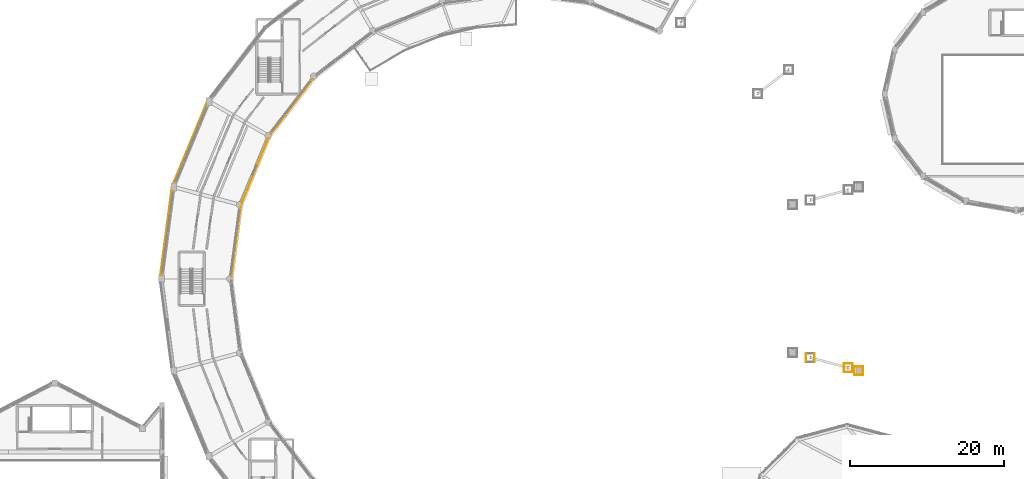
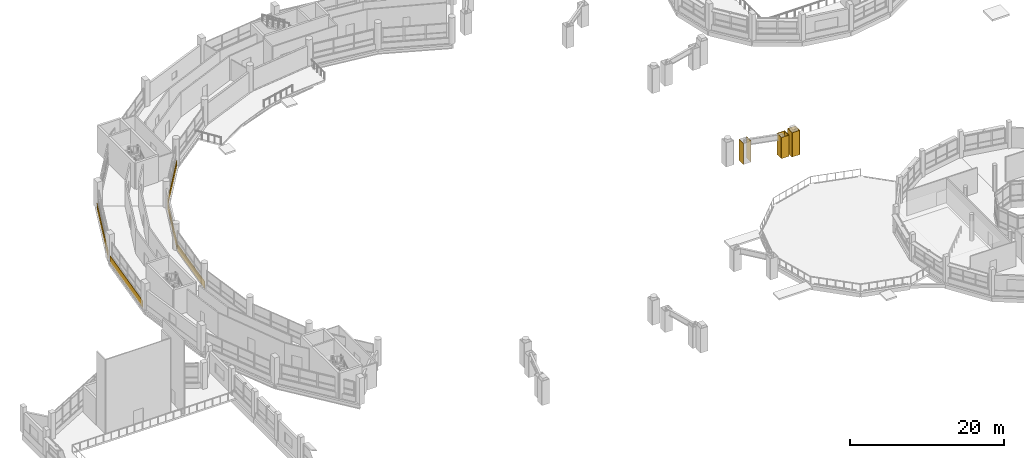
# One storey, part 123 of 128: 15 coverings.
"""IFC4 building model written with IfcOpenShell, lengths in metres."""

from ifc_helpers import new_model, si_unit, direction, frame, frame_2d, origin, place, context, subcontext, project, spatial, rectangle, extrude, material, layer, layer_set, type_object, element, save


model = new_model("IFC4")

# Units and contexts
model_context = context("Model", 3, precision=1e-05, world=origin(), true_north=direction((0.0, 1.0)))
body_context = subcontext(model_context, "Body", "Model", "MODEL_VIEW")
ifc_project = project(units=[si_unit("LENGTHUNIT", "METRE"), si_unit("AREAUNIT", "SQUARE_METRE"), si_unit("VOLUMEUNIT", "CUBIC_METRE"), si_unit("PLANEANGLEUNIT", "RADIAN"), si_unit("MASSUNIT", "GRAM", prefix="KILO")], contexts=[model_context])

# Site, building, storey
site_placement = place(None, origin())
site = spatial("IfcSite", under=ifc_project, at=site_placement, CompositionType="ELEMENT")
building_placement = place(site_placement, origin())
building = spatial("IfcBuilding", under=site, at=building_placement, Name="Vespera Passage Community Centre", CompositionType="ELEMENT")
storey_placement = place(building_placement, frame((0.0, 0.0, 4.5)))
storey = spatial("IfcBuildingStorey", under=building, at=storey_placement, Name="L01", CompositionType="ELEMENT", Elevation=4.5)

# Coverings
ifc_material = material(Name="Precast concrete f'c 40 MPa", Category="concrete")
ifc_layer = layer(ifc_material, 0.06005859375)
ifc_layer_set = layer_set([ifc_layer], Name="Precast concrete f'c 40 MPa")
covering_type = type_object("IfcCoveringType", Name="COV-CLAD-60E", PredefinedType="CLADDING", material=ifc_layer_set)
covering_1_placement = place(storey_placement, frame((121.96923828125, 53.00830078125, 0.0), z_axis=(0.0, 0.0, 1.0), x_axis=(1.0, 0.0, 0.0)))
element("IfcCovering", 1, at=covering_1_placement, inside=storey, type_object=covering_type, Name="Pylon 23.0 O L01 White Architectural Casing 1", PredefinedType="CLADDING", context=body_context, shape_type="SweptSolid", body=[
    extrude(rectangle(XDim=1.119873046875, YDim=0.06005859375, at=frame_2d((0.56005859375, 0.0))), origin(), (0.0, 0.0, 1.0), 3.860107421875),
])
covering_2_placement = place(storey_placement, frame((123.089111328125, 53.00830078125, 0.0), z_axis=(0.0, 0.0, 1.0), x_axis=(0.0, 1.0, 0.0)))
element("IfcCovering", 2, at=covering_2_placement, inside=storey, type_object=covering_type, Name="Pylon 23.0 O L01 White Architectural Casing 2", PredefinedType="CLADDING", context=body_context, shape_type="SweptSolid", body=[
    extrude(rectangle(XDim=1.1201171875, YDim=0.06005859375, at=frame_2d((0.56005859375, 0.0))), origin(), (0.0, 0.0, 1.0), 3.860107421875),
])
covering_3_placement = place(storey_placement, frame((123.089111328125, 54.12841796875, 0.0), z_axis=(0.0, 0.0, 1.0), x_axis=(-1.0, 0.0, 0.0)))
element("IfcCovering", 3, at=covering_3_placement, inside=storey, type_object=covering_type, Name="Pylon 23.0 O L01 White Architectural Casing 3", PredefinedType="CLADDING", context=body_context, shape_type="SweptSolid", body=[
    extrude(rectangle(XDim=1.119873046875, YDim=0.06005859375, at=frame_2d((0.56005859375, 0.0))), origin(), (0.0, 0.0, 1.0), 3.860107421875),
])
covering_4_placement = place(storey_placement, frame((121.96923828125, 54.12841796875, 0.0), z_axis=(0.0, 0.0, 1.0), x_axis=(0.0, -1.0, 0.0)))
element("IfcCovering", 4, at=covering_4_placement, inside=storey, type_object=covering_type, Name="Pylon 23.0 O L01 White Architectural Casing 4", PredefinedType="CLADDING", context=body_context, shape_type="SweptSolid", body=[
    extrude(rectangle(XDim=1.1201171875, YDim=0.06005859375, at=frame_2d((0.56005859375, 0.0))), origin(), (0.0, 0.0, 1.0), 3.860107421875),
])
covering_5_placement = place(storey_placement, frame((120.568603515625, 53.3837890625, 0.0), z_axis=(0.0, 0.0, 1.0), x_axis=(1.0, 0.0, 0.0)))
element("IfcCovering", 5, at=covering_5_placement, inside=storey, type_object=covering_type, Name="Pylon 23.0 TO L01 White Architectural Casing 1", PredefinedType="CLADDING", context=body_context, shape_type="SweptSolid", body=[
    extrude(rectangle(XDim=1.1201171875, YDim=0.06005859375, at=frame_2d((0.56005859375, 0.0))), origin(), (0.0, 0.0, 1.0), 3.35009765625),
])
covering_6_placement = place(storey_placement, frame((121.688720703125, 53.3837890625, 0.0), z_axis=(0.0, 0.0, 1.0), x_axis=(0.0, 1.0, 0.0)))
element("IfcCovering", 6, at=covering_6_placement, inside=storey, type_object=covering_type, Name="Pylon 23.0 TO L01 White Architectural Casing 2", PredefinedType="CLADDING", context=body_context, shape_type="SweptSolid", body=[
    extrude(rectangle(XDim=1.119873046875, YDim=0.06005859375, at=frame_2d((0.56005859375, 0.0))), origin(), (0.0, 0.0, 1.0), 3.35009765625),
])
covering_7_placement = place(storey_placement, frame((121.688720703125, 54.503662109375, 0.0), z_axis=(0.0, 0.0, 1.0), x_axis=(-1.0, 0.0, 0.0)))
element("IfcCovering", 7, at=covering_7_placement, inside=storey, type_object=covering_type, Name="Pylon 23.0 TO L01 White Architectural Casing 3", PredefinedType="CLADDING", context=body_context, shape_type="SweptSolid", body=[
    extrude(rectangle(XDim=1.1201171875, YDim=0.06005859375, at=frame_2d((0.56005859375, 0.0))), origin(), (0.0, 0.0, 1.0), 3.35009765625),
])
covering_8_placement = place(storey_placement, frame((120.568603515625, 54.503662109375, 0.0), z_axis=(0.0, 0.0, 1.0), x_axis=(0.0, -1.0, 0.0)))
element("IfcCovering", 8, at=covering_8_placement, inside=storey, type_object=covering_type, Name="Pylon 23.0 TO L01 White Architectural Casing 4", PredefinedType="CLADDING", context=body_context, shape_type="SweptSolid", body=[
    extrude(rectangle(XDim=1.119873046875, YDim=0.06005859375, at=frame_2d((0.56005859375, 0.0))), origin(), (0.0, 0.0, 1.0), 3.35009765625),
])
for number, where, z_axis, x_axis, name in (
    (9, (116.762451171875, 54.70361328125, 0.0), (0.0, 0.0, 1.0), (0.0, 1.0, 0.0), "Pylon 23.0 TI L01 White Architectural Casing 2"),
    (10, (115.642333984375, 55.82373046875, 0.0), (0.0, 0.0, 1.0), (0.0, -1.0, 0.0), "Pylon 23.0 TI L01 White Architectural Casing 4"),
):
    element("IfcCovering", number, at=place(storey_placement, frame(where, z_axis=z_axis, x_axis=x_axis)), inside=storey, type_object=covering_type, Name=name, PredefinedType="CLADDING", context=body_context, shape_type="SweptSolid", body=[
        extrude(rectangle(XDim=1.1201171875, YDim=0.06005859375, at=frame_2d((0.56005859375, 0.0))), origin(), (0.0, 0.0, 1.0), 3.35009765625),
    ])
covering_9_placement = place(storey_placement, frame((51.603515625, 91.4296875, -0.280029296875), z_axis=(0.0, 0.0, 1.0), x_axis=(-0.608765610033, -0.793350132061, 0.0)))
element("IfcCovering", 11, at=covering_9_placement, inside=storey, type_object=covering_type, Name="V4 L01 Inner Court White Spandrel Band I9", PredefinedType="CLADDING", context=body_context, shape_type="SweptSolid", body=[
    extrude(rectangle(XDim=9.004638671875, YDim=0.06005859375, at=frame_2d((4.50244140625, 0.0))), origin(), (0.0, 0.0, 1.0), 1.10009765625),
])
covering_10_placement = place(storey_placement, frame((33.51123046875, 77.9736328125, -0.280029296875), z_axis=(0.0, 0.0, 1.0), x_axis=(0.382695413149, 0.923874569817, 0.0)))
element("IfcCovering", 12, at=covering_10_placement, inside=storey, type_object=covering_type, Name="V4 L01 Outer White Spandrel Band O10", PredefinedType="CLADDING", context=body_context, shape_type="SweptSolid", body=[
    extrude(rectangle(XDim=11.002197265625, YDim=0.06005859375, at=frame_2d((5.5009765625, 0.0))), origin(), (0.0, 0.0, 1.0), 1.10009765625),
])
covering_11_placement = place(storey_placement, frame((45.8125, 83.763916015625, -0.280029296875), z_axis=(0.0, 0.0, 1.0), x_axis=(-0.38269491658, -0.92387477551, 0.0)))
element("IfcCovering", 13, at=covering_11_placement, inside=storey, type_object=covering_type, Name="V4 L01 Court White Sill Band I10", PredefinedType="CLADDING", context=body_context, shape_type="SweptSolid", body=[
    extrude(rectangle(XDim=9.11181640625, YDim=0.06005859375, at=frame_2d((4.555908203125, 0.0))), origin(), (0.0, 0.0, 1.0), 1.10009765625),
])
covering_12_placement = place(storey_placement, frame((31.794189453125, 65.997314453125, -0.280029296875), z_axis=(0.0, 0.0, 1.0), x_axis=(0.130513242145, 0.991446566197, 0.0)))
element("IfcCovering", 14, at=covering_12_placement, inside=storey, type_object=covering_type, Name="V4 L01 Outer White Spandrel Band O11", PredefinedType="CLADDING", context=body_context, shape_type="SweptSolid", body=[
    extrude(rectangle(XDim=11.075927734375, YDim=0.06005859375, at=frame_2d((5.5380859375, 0.0))), origin(), (0.0, 0.0, 1.0), 1.10009765625),
])
covering_13_placement = place(storey_placement, frame((42.18505859375, 74.832763671875, -0.280029296875), z_axis=(0.0, 0.0, 1.0), x_axis=(-0.13052003772, -0.99144567161, 0.0)))
element("IfcCovering", 15, at=covering_13_placement, inside=storey, type_object=covering_type, Name="V4 L01 Inner Court White Spandrel Band I11", PredefinedType="CLADDING", context=body_context, shape_type="SweptSolid", body=[
    extrude(rectangle(XDim=9.15625, YDim=0.06005859375, at=frame_2d((4.578125, 0.0))), origin(), (0.0, 0.0, 1.0), 1.10009765625),
])

save(model, "model.ifc")
